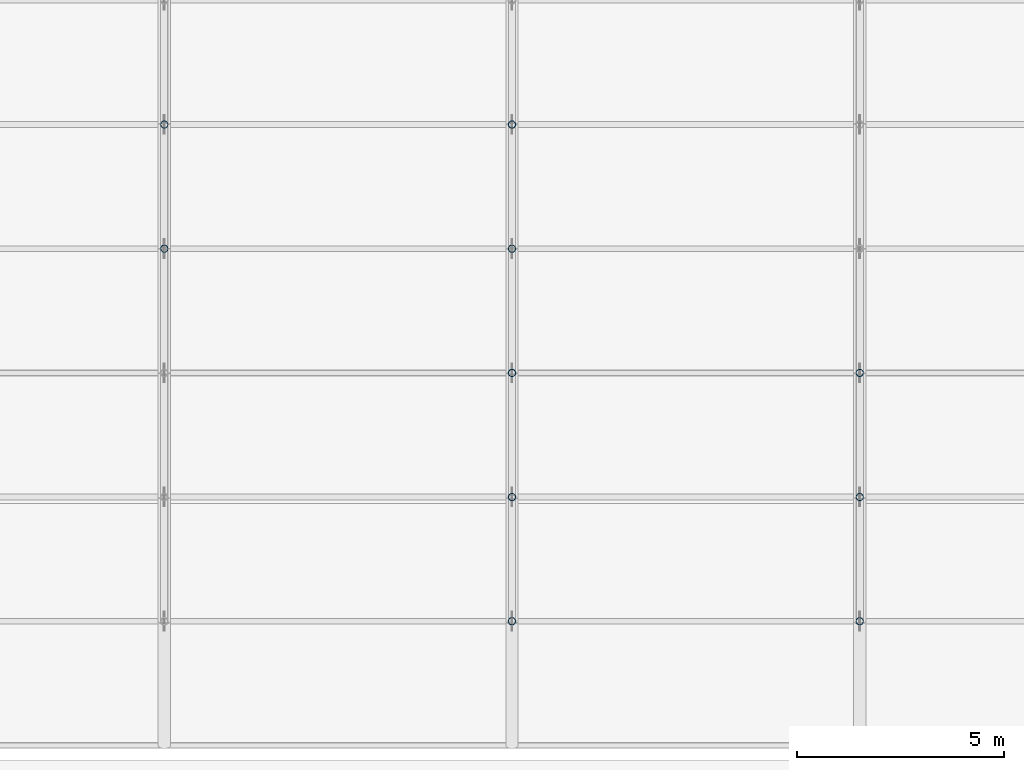
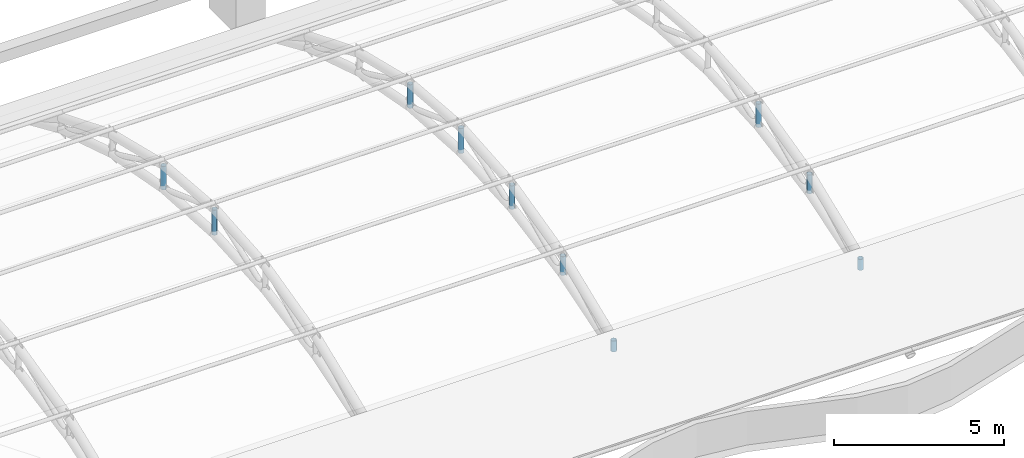
# One storey, part 66 of 163: 10 members.
"""IFC4 building model written with IfcOpenShell, lengths in metres."""

import ifcopenshell
import ifcopenshell.guid

model = None  # the IFC model being written
_history = None  # IfcOwnerHistory: only IFC2X3 demands one
_inside = {}  # id of a spatial element -> (the spatial element, [elements in it])
_under = {}  # id of a project, library or spatial element -> (it, [spatial elements below it])
_declared = {}  # id of a project -> (the project, [libraries it declares])
_typed = {}  # id of a type object -> (the type object, [elements of that type])
_made_of = {}  # id of a material, layer set ... -> (it, [elements and type objects made of it])


def new_model(schema):
    """Start an empty IFC model of exactly this schema.

    Asked for "IFC4X3", IfcOpenShell would pick the latest addendum, in which some entities
    have other attributes; the version numbers below select the first issue.
    IFC2X3 requires an IfcOwnerHistory on every rooted entity: one is made here for all.
    """
    global model, _history
    if schema == "IFC4X3":
        model = ifcopenshell.file(schema_version=(4, 3, 0, 0))
    else:
        model = ifcopenshell.file(schema=schema)
    _inside.clear()
    _under.clear()
    _declared.clear()
    _typed.clear()
    _made_of.clear()
    _history = None
    if model.schema == "IFC2X3":
        org = make("IfcOrganization", Name="unknown")
        user = make(
            "IfcPersonAndOrganization",
            ThePerson=make("IfcPerson", FamilyName="unknown"),
            TheOrganization=org,
        )
        app = make(
            "IfcApplication",
            ApplicationDeveloper=org,
            Version="unknown",
            ApplicationFullName="unknown",
            ApplicationIdentifier="unknown",
        )
        _history = make(
            "IfcOwnerHistory",
            OwningUser=user,
            OwningApplication=app,
            ChangeAction="ADDED",
            CreationDate=0,
        )
    return model


def make(cls, **values):
    """One entity of the class cls with the attributes given. An attribute that is None is left unset."""
    return model.create_entity(
        cls, **{name: value for name, value in values.items() if value is not None}
    )


def rooted(cls, **values):
    """An entity with a GlobalId (a new one), such as an element, a storey or a relation."""
    return make(cls, GlobalId=ifcopenshell.guid.new(), OwnerHistory=_history, **values)


def si_unit(unit_type, name, prefix=None):
    """IfcSIUnit, for example si_unit("LENGTHUNIT", "METRE", prefix="MILLI")."""
    return make("IfcSIUnit", UnitType=unit_type, Prefix=prefix, Name=name)


def assignment(units):
    """IfcUnitAssignment: the units of a project."""
    return None if units is None else make("IfcUnitAssignment", Units=units)


def point(xyz):
    """IfcCartesianPoint."""
    return None if xyz is None else make("IfcCartesianPoint", Coordinates=xyz)


def direction(xyz):
    """IfcDirection."""
    return None if xyz is None else make("IfcDirection", DirectionRatios=xyz)


def frame(location, z_axis=None, x_axis=None):
    """IfcAxis2Placement3D, a coordinate frame: its origin and axes. An axis left out is left unset."""
    return make(
        "IfcAxis2Placement3D",
        Location=point(location),
        Axis=direction(z_axis),
        RefDirection=direction(x_axis),
    )


def frame_2d(location, x_axis=None):
    """IfcAxis2Placement2D, a coordinate frame in the plane: its origin and x axis."""
    return make(
        "IfcAxis2Placement2D", Location=point(location), RefDirection=direction(x_axis)
    )


def origin():
    """The frame at (0, 0, 0) with its axes left unset."""
    return frame((0.0, 0.0, 0.0))


def origin_2d():
    """The frame at (0, 0) in the plane with its x axis left unset."""
    return frame_2d((0.0, 0.0))


def place(relative_to, where):
    """IfcLocalPlacement: puts the frame where relative to a parent placement (None: the world)."""
    return make(
        "IfcLocalPlacement", PlacementRelTo=relative_to, RelativePlacement=where
    )


def context(
    kind, dimensions, precision=None, world=None, true_north=None, identifier=None
):
    """IfcGeometricRepresentationContext, for example the 3D "Model" context."""
    return make(
        "IfcGeometricRepresentationContext",
        ContextIdentifier=identifier,
        ContextType=kind,
        CoordinateSpaceDimension=dimensions,
        Precision=precision,
        WorldCoordinateSystem=world,
        TrueNorth=true_north,
    )


def subcontext(parent, identifier, kind, view, scale=None):
    """IfcGeometricRepresentationSubContext, for example "Body" below "Model"."""
    return make(
        "IfcGeometricRepresentationSubContext",
        ContextIdentifier=identifier,
        ContextType=kind,
        ParentContext=parent,
        TargetScale=scale,
        TargetView=view,
    )


def project(units=None, contexts=None):
    """IfcProject with its units and contexts."""
    return rooted(
        "IfcProject",
        Name="project",
        RepresentationContexts=contexts,
        UnitsInContext=assignment(units),
    )


def spatial(cls, under=None, at=None, **own):
    """A site, building, storey or space (cls), placed at a placement, below another one or the project."""
    s = rooted(cls, ObjectPlacement=at, **own)
    if under is not None:
        _under.setdefault(under.id(), (under, []))[1].append(s)
    return s


def profile(cls, at=None, kind="AREA", **sizes):
    """A parametric profile (cls). Its sizes go by their IFC names, for example OverallWidth=200.0."""
    return make(cls, ProfileType=kind, Position=at, **sizes)


def hollow_circle(**sizes):
    """IfcCircleHollowProfileDef."""
    return profile("IfcCircleHollowProfileDef", **sizes)


def extrude(swept, where, along, depth):
    """IfcExtrudedAreaSolid: the profile swept, set in the frame where, extruded along a direction by depth."""
    return make(
        "IfcExtrudedAreaSolid",
        SweptArea=swept,
        Position=where,
        ExtrudedDirection=direction(along),
        Depth=depth,
    )


def shape(context_of_items, identifier, shape_type, items):
    """IfcShapeRepresentation: the items that make up one representation, for example the "Body"."""
    return make(
        "IfcShapeRepresentation",
        ContextOfItems=context_of_items,
        RepresentationIdentifier=identifier,
        RepresentationType=shape_type,
        Items=items,
    )


def material(Name=None, Category=None):
    """IfcMaterial."""
    return make("IfcMaterial", Name=Name, Category=Category)


def material_profile(
    of_material, cross_section, Name=None, Category=None, Priority=None
):
    """IfcMaterialProfile: a cross section and its material."""
    return make(
        "IfcMaterialProfile",
        Name=Name,
        Material=of_material,
        Profile=cross_section,
        Priority=Priority,
        Category=Category,
    )


def profile_set(profiles, Name=None, composite=None):
    """IfcMaterialProfileSet."""
    return make(
        "IfcMaterialProfileSet",
        Name=Name,
        MaterialProfiles=profiles,
        CompositeProfile=composite,
    )


def made_of(thing, what):
    """Note that an element or type object is made of a material, layer set ...; save() writes the relation."""
    if what is not None:
        _made_of.setdefault(what.id(), (what, []))[1].append(thing)
    return thing


def type_object(cls, material=None, **own):
    """A type object (cls), such as IfcWallType, which elements share."""
    return made_of(rooted(cls, **own), material)


def element(
    cls,
    number,
    at=None,
    inside=None,
    cuts=None,
    type_object=None,
    material=None,
    context=None,
    identifier="Body",
    shape_type=None,
    held_by="IfcProductDefinitionShape",
    body=None,
    shapes=None,
    **own,
):
    """One element of the class cls, such as IfcWall. Its Tag is "e" and its number.

    at: its placement. inside: the storey or other place that contains it. cuts: it is an
    opening in that element (IfcRelVoidsElement). A single representation is given by context,
    identifier, shape_type and body (its items); several are given by shapes. held_by: the class
    of the entity that holds the representations. save() writes the other relations.
    """
    e = rooted(cls, Tag="e%d" % number, ObjectPlacement=at, **own)
    if body is not None:
        shapes = [shape(context, identifier, shape_type, body)]
    if shapes is not None:
        e.Representation = make(held_by, Representations=shapes)
    if inside is not None:
        _inside.setdefault(inside.id(), (inside, []))[1].append(e)
    if cuts is not None:
        rooted(
            "IfcRelVoidsElement", RelatingBuildingElement=cuts, RelatedOpeningElement=e
        )
    if type_object is not None:
        _typed.setdefault(type_object.id(), (type_object, []))[1].append(e)
    return made_of(e, material)


def aggregate(whole, parts):
    """IfcRelAggregates: a whole, such as a stair, and the parts it consists of."""
    return rooted("IfcRelAggregates", RelatingObject=whole, RelatedObjects=parts)


def save(model, path):
    """Write the relations noted so far, then the file.

    IfcRelAggregates (storeys below a building ...), IfcRelContainedInSpatialStructure (elements
    in a storey), IfcRelDefinesByType, IfcRelAssociatesMaterial and IfcRelDeclares: one each for
    every whole, place, type object, material and project.
    """
    for whole, parts in _under.values():
        aggregate(whole, parts)
    for where, things in _inside.values():
        rooted(
            "IfcRelContainedInSpatialStructure",
            RelatedElements=things,
            RelatingStructure=where,
        )
    for kind, things in _typed.values():
        rooted("IfcRelDefinesByType", RelatedObjects=things, RelatingType=kind)
    for what, things in _made_of.values():
        rooted("IfcRelAssociatesMaterial", RelatedObjects=things, RelatingMaterial=what)
    for by, libraries in _declared.values():
        rooted("IfcRelDeclares", RelatingContext=by, RelatedDefinitions=libraries)
    model.write(path)


model = new_model("IFC4")

# Units and contexts
model_context = context("Model", 3, precision=1e-05, world=origin(), true_north=direction((0.0, 1.0)))
body_context = subcontext(model_context, "Body", "Model", "MODEL_VIEW")
ifc_project = project(units=[si_unit("LENGTHUNIT", "METRE"), si_unit("AREAUNIT", "SQUARE_METRE"), si_unit("VOLUMEUNIT", "CUBIC_METRE"), si_unit("PLANEANGLEUNIT", "RADIAN"), si_unit("MASSUNIT", "GRAM", prefix="KILO")], contexts=[model_context])

# Site, building, storey
site_placement = place(None, origin())
site = spatial("IfcSite", under=ifc_project, at=site_placement, CompositionType="ELEMENT")
building_placement = place(site_placement, origin())
building = spatial("IfcBuilding", under=site, at=building_placement, Name="Rain Tree Exposition and Congress Centre", CompositionType="ELEMENT")
storey_placement = place(building_placement, frame((0.0, 0.0, 10.5)))
storey = spatial("IfcBuildingStorey", under=building, at=storey_placement, Name="L02", CompositionType="ELEMENT", Elevation=10.5)

# Members
ifc_material = material(Name="Steel S355J2H", Category="steel")
ifc_material_profile = material_profile(ifc_material, hollow_circle(Radius=0.090087890625, WallThickness=0.008056640625, at=origin_2d()), Name="CHS 180x8")
ifc_profile_set = profile_set([ifc_material_profile], Name="Steel S355J2H")
member_type = type_object("IfcMemberType", Name="Steel post member CHS 180x8", PredefinedType="POST", material=ifc_profile_set)
member_1_placement = place(storey_placement, frame((16.800048828125, 87.60009765625, 3.1298828125), z_axis=(0.0, 0.0, 1.0), x_axis=(1.0, 0.0, 0.0)))
element("IfcMember", 1, at=member_1_placement, inside=storey, type_object=member_type, Name="Roof truss 3 post 4", PredefinedType="POST", context=body_context, shape_type="SweptSolid", body=[
    extrude(hollow_circle(Radius=0.090087890625, WallThickness=0.008056640625, at=origin_2d()), origin(), (0.0, 0.0, 1.0), 0.900146484375),
])
member_2_placement = place(storey_placement, frame((16.800048828125, 90.60009765625, 2.9423828125), z_axis=(0.0, 0.0, 1.0), x_axis=(1.0, 0.0, 0.0)))
element("IfcMember", 2, at=member_2_placement, inside=storey, type_object=member_type, Name="Roof truss 3 post 5", PredefinedType="POST", context=body_context, shape_type="SweptSolid", body=[
    extrude(hollow_circle(Radius=0.090087890625, WallThickness=0.008056640625, at=origin_2d()), origin(), (0.0, 0.0, 1.0), 0.843994140625),
])
member_3_placement = place(storey_placement, frame((25.199951171875, 78.60009765625, 1.4423828125), z_axis=(0.0, 0.0, 1.0), x_axis=(1.0, 0.0, 0.0)))
element("IfcMember", 3, at=member_3_placement, inside=storey, type_object=member_type, Name="Roof truss 4 post 1", PredefinedType="POST", context=body_context, shape_type="SweptSolid", body=[
    extrude(hollow_circle(Radius=0.090087890625, WallThickness=0.008056640625, at=origin_2d()), origin(), (0.0, 0.0, 1.0), 0.393798828125),
])
member_4_placement = place(storey_placement, frame((25.199951171875, 81.60009765625, 2.3798828125), z_axis=(0.0, 0.0, 1.0), x_axis=(1.0, 0.0, 0.0)))
element("IfcMember", 4, at=member_4_placement, inside=storey, type_object=member_type, Name="Roof truss 4 post 2", PredefinedType="POST", context=body_context, shape_type="SweptSolid", body=[
    extrude(hollow_circle(Radius=0.090087890625, WallThickness=0.008056640625, at=origin_2d()), origin(), (0.0, 0.0, 1.0), 0.675048828125),
])
member_5_placement = place(storey_placement, frame((25.199951171875, 84.60009765625, 2.9423828125), z_axis=(0.0, 0.0, 1.0), x_axis=(1.0, 0.0, 0.0)))
element("IfcMember", 5, at=member_5_placement, inside=storey, type_object=member_type, Name="Roof truss 4 post 3", PredefinedType="POST", context=body_context, shape_type="SweptSolid", body=[
    extrude(hollow_circle(Radius=0.090087890625, WallThickness=0.008056640625, at=origin_2d()), origin(), (0.0, 0.0, 1.0), 0.843994140625),
])
member_6_placement = place(storey_placement, frame((25.199951171875, 87.60009765625, 3.1298828125), z_axis=(0.0, 0.0, 1.0), x_axis=(1.0, 0.0, 0.0)))
element("IfcMember", 6, at=member_6_placement, inside=storey, type_object=member_type, Name="Roof truss 4 post 4", PredefinedType="POST", context=body_context, shape_type="SweptSolid", body=[
    extrude(hollow_circle(Radius=0.090087890625, WallThickness=0.008056640625, at=origin_2d()), origin(), (0.0, 0.0, 1.0), 0.900146484375),
])
member_7_placement = place(storey_placement, frame((25.199951171875, 90.60009765625, 2.9423828125), z_axis=(0.0, 0.0, 1.0), x_axis=(1.0, 0.0, 0.0)))
element("IfcMember", 7, at=member_7_placement, inside=storey, type_object=member_type, Name="Roof truss 4 post 5", PredefinedType="POST", context=body_context, shape_type="SweptSolid", body=[
    extrude(hollow_circle(Radius=0.090087890625, WallThickness=0.008056640625, at=origin_2d()), origin(), (0.0, 0.0, 1.0), 0.843994140625),
])
member_8_placement = place(storey_placement, frame((33.60009765625, 78.60009765625, 1.4423828125), z_axis=(0.0, 0.0, 1.0), x_axis=(1.0, 0.0, 0.0)))
element("IfcMember", 8, at=member_8_placement, inside=storey, type_object=member_type, Name="Roof truss 5 post 1", PredefinedType="POST", context=body_context, shape_type="SweptSolid", body=[
    extrude(hollow_circle(Radius=0.090087890625, WallThickness=0.008056640625, at=origin_2d()), origin(), (0.0, 0.0, 1.0), 0.393798828125),
])
member_9_placement = place(storey_placement, frame((33.60009765625, 81.60009765625, 2.3798828125), z_axis=(0.0, 0.0, 1.0), x_axis=(1.0, 0.0, 0.0)))
element("IfcMember", 9, at=member_9_placement, inside=storey, type_object=member_type, Name="Roof truss 5 post 2", PredefinedType="POST", context=body_context, shape_type="SweptSolid", body=[
    extrude(hollow_circle(Radius=0.090087890625, WallThickness=0.008056640625, at=origin_2d()), origin(), (0.0, 0.0, 1.0), 0.675048828125),
])
member_10_placement = place(storey_placement, frame((33.60009765625, 84.60009765625, 2.9423828125), z_axis=(0.0, 0.0, 1.0), x_axis=(1.0, 0.0, 0.0)))
element("IfcMember", 10, at=member_10_placement, inside=storey, type_object=member_type, Name="Roof truss 5 post 3", PredefinedType="POST", context=body_context, shape_type="SweptSolid", body=[
    extrude(hollow_circle(Radius=0.090087890625, WallThickness=0.008056640625, at=origin_2d()), origin(), (0.0, 0.0, 1.0), 0.843994140625),
])

save(model, "model.ifc")
